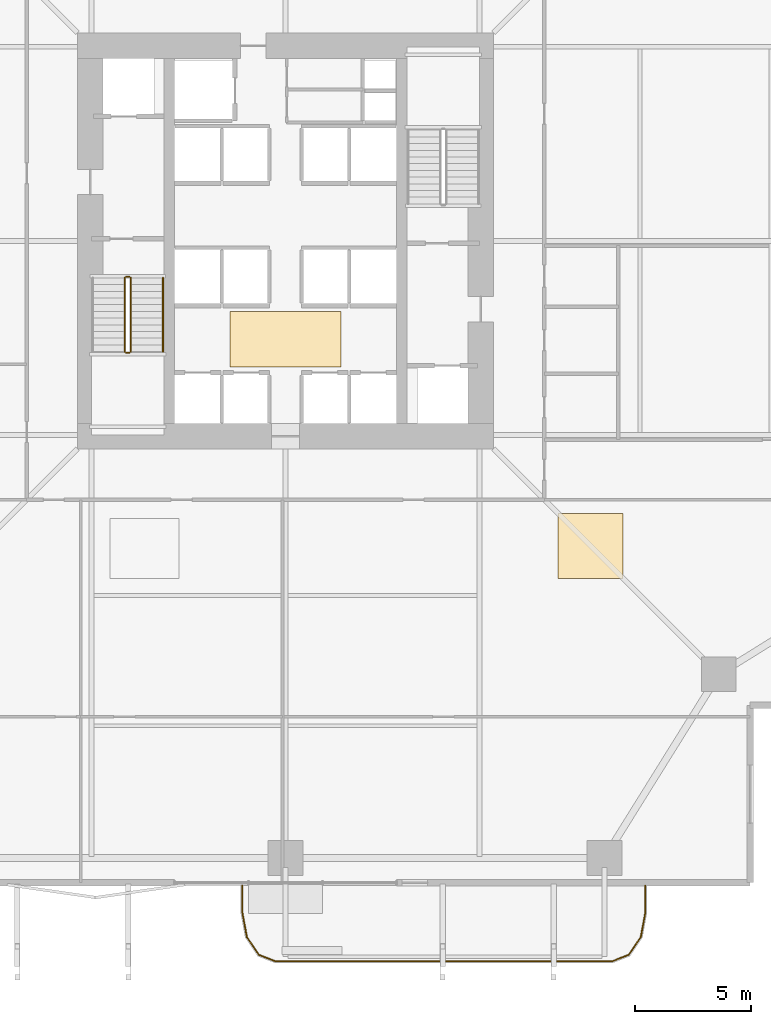
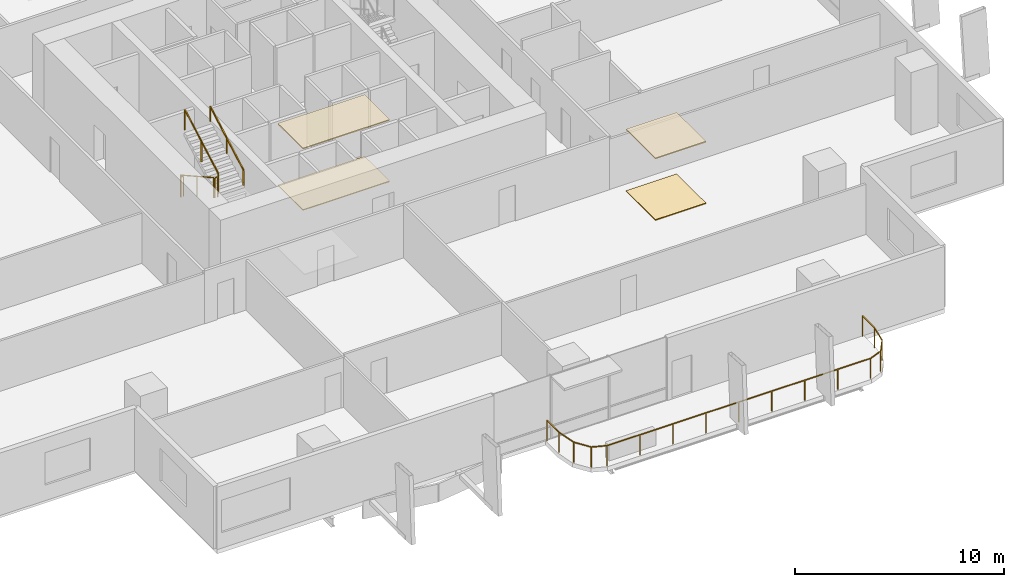
# One storey, part 22 of 24: 6 railings, 4 coverings.
"""IFC4 building model written with IfcOpenShell, lengths in metres."""

from ifc_helpers import new_model, si_unit, direction, frame, origin, origin_2d, place, context, subcontext, project, spatial, polyline, rectangle, outline, extrude, material, layer, layer_set, type_object, element, save


model = new_model("IFC4")

# Units and contexts
model_context = context("Model", 3, precision=1e-05, world=origin(), true_north=direction((0.0, 1.0)))
body_context = subcontext(model_context, "Body", "Model", "MODEL_VIEW")
ifc_project = project(units=[si_unit("LENGTHUNIT", "METRE"), si_unit("AREAUNIT", "SQUARE_METRE"), si_unit("VOLUMEUNIT", "CUBIC_METRE"), si_unit("PLANEANGLEUNIT", "RADIAN"), si_unit("MASSUNIT", "GRAM", prefix="KILO")], contexts=[model_context])

# Site, building, storey
site_placement = place(None, origin())
site = spatial("IfcSite", under=ifc_project, at=site_placement, CompositionType="ELEMENT")
building_placement = place(site_placement, origin())
building = spatial("IfcBuilding", under=site, at=building_placement, Name="Belovzor Exchange Tower", CompositionType="ELEMENT")
storey_placement = place(building_placement, frame((0.0, 0.0, 33.89990234375)))
storey = spatial("IfcBuildingStorey", under=building, at=storey_placement, Name="L07", CompositionType="ELEMENT", Elevation=33.89990234375)

# Railings
ifc_material_1 = material(Name="Stainless Steel Grade 304", Category="steel")
railing_type_1 = type_object("IfcRailingType", Name="Brushed Stainless Steel Stair Handrail 900", PredefinedType="HANDRAIL", material=ifc_material_1)
railing_1_placement = place(storey_placement, frame((23.5, 24.010009765625, 2.112548828125)))
element("IfcRailing", 1, at=railing_1_placement, inside=storey, type_object=railing_type_1, Name="L07 ST-1 stair handrail 2", PredefinedType="HANDRAIL", context=body_context, shape_type="SweptSolid", body=[
    extrude(rectangle(XDim=0.048095703125, YDim=0.048095703125, at=origin_2d()), frame((0.0, 0.0, 0.8759765625), z_axis=(0.0, 0.8723625253, 0.488859514025), x_axis=(-1.0, 0.0, 0.0)), (0.0, 0.0, 1.0), 3.65673828125),
    extrude(rectangle(XDim=0.0419921875, YDim=0.0419921875, at=origin_2d()), origin(), (0.0, 0.0, 1.0), 0.851806640625),
    extrude(rectangle(XDim=0.0419921875, YDim=0.0419921875, at=origin_2d()), frame((0.0, 1.594970703125, 0.893798828125)), (0.0, 0.0, 1.0), 0.851806640625),
    extrude(rectangle(XDim=0.0419921875, YDim=0.0419921875, at=origin_2d()), frame((0.0, 3.18994140625, 1.78759765625)), (0.0, 0.0, 1.0), 0.851806640625),
])
ifc_material_2 = material(Name="Stainless Steel and Laminated Safety Glass", Category="steel")
railing_type_2 = type_object("IfcRailingType", Name="Laminated Glass & Stainless Steel Balcony Balustrade 1200", PredefinedType="BALUSTRADE", material=ifc_material_2)
railing_2_placement = place(storey_placement, frame((26.929931640625, 0.889892578125, 0.0)))
element("IfcRailing", 2, at=railing_2_placement, inside=storey, type_object=railing_type_2, Name="GR-1 Balcony Balustrade L07 South", PredefinedType="BALUSTRADE", context=body_context, shape_type="SweptSolid", body=[
    extrude(rectangle(XDim=0.048095703125, YDim=0.048095703125, at=origin_2d()), frame((0.0, 0.0, 1.17578125), z_axis=(0.0, -1.0, 0.0), x_axis=(1.0, 0.0, 0.0)), (0.0, 0.0, 1.0), 1.1328125),
    extrude(rectangle(XDim=0.048095703125, YDim=0.048095703125, at=origin_2d()), frame((0.0, -1.1328125, 1.17578125), z_axis=(0.180083182347, -0.983651385113, 0.0), x_axis=(0.983651385113, 0.180083182347, 0.0)), (0.0, 0.0, 1.0), 1.093994140625),
    extrude(rectangle(XDim=0.048095703125, YDim=0.048095703125, at=origin_2d()), frame((0.197021484375, -2.208984375, 1.17578125), z_axis=(0.56294695933, -0.826493025367, 0.0), x_axis=(0.826493025367, 0.56294695933, 0.0)), (0.0, 0.0, 1.0), 0.932861328125),
    extrude(rectangle(XDim=0.048095703125, YDim=0.048095703125, at=origin_2d()), frame((0.72216796875, -2.97998046875, 1.17578125), z_axis=(0.930766990125, -0.365612923861, 0.0), x_axis=(0.365612923861, 0.930766990125, 0.0)), (0.0, 0.0, 1.0), 0.765869140625),
    extrude(rectangle(XDim=0.048095703125, YDim=0.048095703125, at=origin_2d()), frame((1.43505859375, -3.260009765625, 1.17578125), z_axis=(1.0, 0.0, 0.0), x_axis=(0.0, 1.0, 0.0)), (0.0, 0.0, 1.0), 14.570068359375),
    extrude(rectangle(XDim=0.048095703125, YDim=0.048095703125, at=origin_2d()), frame((16.005126953125, -3.260009765625, 1.17578125), z_axis=(0.930766990125, 0.365612923861, 0.0), x_axis=(-0.365612923861, 0.930766990125, 0.0)), (0.0, 0.0, 1.0), 0.765869140625),
    extrude(rectangle(XDim=0.048095703125, YDim=0.048095703125, at=origin_2d()), frame((16.718017578125, -2.97998046875, 1.17578125), z_axis=(0.56294695933, 0.826493025367, 0.0), x_axis=(-0.826493025367, 0.56294695933, 0.0)), (0.0, 0.0, 1.0), 0.932861328125),
    extrude(rectangle(XDim=0.048095703125, YDim=0.048095703125, at=origin_2d()), frame((17.2431640625, -2.208984375, 1.17578125), z_axis=(0.180083182347, 0.983651385113, 0.0), x_axis=(-0.983651385113, 0.180083182347, 0.0)), (0.0, 0.0, 1.0), 1.093994140625),
    extrude(rectangle(XDim=0.048095703125, YDim=0.048095703125, at=origin_2d()), frame((17.440185546875, -1.1328125, 1.17578125), z_axis=(0.0, 1.0, 0.0), x_axis=(-1.0, 0.0, 0.0)), (0.0, 0.0, 1.0), 1.1328125),
    extrude(rectangle(XDim=0.0419921875, YDim=0.0419921875, at=origin_2d()), origin(), (0.0, 0.0, 1.0), 1.15185546875),
    extrude(rectangle(XDim=0.0419921875, YDim=0.0419921875, at=origin_2d()), frame((0.0, -1.1328125, 0.0)), (0.0, 0.0, 1.0), 1.15185546875),
    extrude(rectangle(XDim=0.0419921875, YDim=0.0419921875, at=origin_2d()), frame((0.197021484375, -2.208984375, 0.0)), (0.0, 0.0, 1.0), 1.15185546875),
    extrude(rectangle(XDim=0.0419921875, YDim=0.0419921875, at=origin_2d()), frame((0.72216796875, -2.97998046875, 0.0)), (0.0, 0.0, 1.0), 1.15185546875),
    extrude(rectangle(XDim=0.0419921875, YDim=0.0419921875, at=origin_2d()), frame((1.43505859375, -3.260009765625, 0.0)), (0.0, 0.0, 1.0), 1.15185546875),
    extrude(rectangle(XDim=0.0419921875, YDim=0.0419921875, at=origin_2d()), frame((3.25634765625, -3.260009765625, 0.0)), (0.0, 0.0, 1.0), 1.15185546875),
    extrude(rectangle(XDim=0.0419921875, YDim=0.0419921875, at=origin_2d()), frame((5.07763671875, -3.260009765625, 0.0)), (0.0, 0.0, 1.0), 1.15185546875),
    extrude(rectangle(XDim=0.0419921875, YDim=0.0419921875, at=origin_2d()), frame((6.89892578125, -3.260009765625, 0.0)), (0.0, 0.0, 1.0), 1.15185546875),
    extrude(rectangle(XDim=0.0419921875, YDim=0.0419921875, at=origin_2d()), frame((8.72021484375, -3.260009765625, 0.0)), (0.0, 0.0, 1.0), 1.15185546875),
    extrude(rectangle(XDim=0.0419921875, YDim=0.0419921875, at=origin_2d()), frame((10.541259765625, -3.260009765625, 0.0)), (0.0, 0.0, 1.0), 1.15185546875),
    extrude(rectangle(XDim=0.0419921875, YDim=0.0419921875, at=origin_2d()), frame((12.362548828125, -3.260009765625, 0.0)), (0.0, 0.0, 1.0), 1.15185546875),
    extrude(rectangle(XDim=0.0419921875, YDim=0.0419921875, at=origin_2d()), frame((14.183837890625, -3.260009765625, 0.0)), (0.0, 0.0, 1.0), 1.15185546875),
    extrude(rectangle(XDim=0.0419921875, YDim=0.0419921875, at=origin_2d()), frame((16.005126953125, -3.260009765625, 0.0)), (0.0, 0.0, 1.0), 1.15185546875),
    extrude(rectangle(XDim=0.0419921875, YDim=0.0419921875, at=origin_2d()), frame((16.718017578125, -2.97998046875, 0.0)), (0.0, 0.0, 1.0), 1.15185546875),
    extrude(rectangle(XDim=0.0419921875, YDim=0.0419921875, at=origin_2d()), frame((17.2431640625, -2.208984375, 0.0)), (0.0, 0.0, 1.0), 1.15185546875),
    extrude(rectangle(XDim=0.0419921875, YDim=0.0419921875, at=origin_2d()), frame((17.440185546875, -1.1328125, 0.0)), (0.0, 0.0, 1.0), 1.15185546875),
    extrude(rectangle(XDim=0.0419921875, YDim=0.0419921875, at=origin_2d()), frame((17.440185546875, 0.0, 0.0)), (0.0, 0.0, 1.0), 1.15185546875),
])
ifc_material_3 = material(Name="Steel S355", Category="steel")
railing_type_3 = type_object("IfcRailingType", Name="Painted Steel Stairwell Guardrail 1200", PredefinedType="GUARDRAIL", material=ifc_material_3)
railing_3_placement = place(storey_placement, frame((21.85009765625, 27.199951171875, 0.16259765625)))
element("IfcRailing", 3, at=railing_3_placement, inside=storey, type_object=railing_type_3, Name="L07 ST-1 stair guard 1", PredefinedType="GUARDRAIL", context=body_context, shape_type="SweptSolid", body=[
    extrude(rectangle(XDim=0.048095703125, YDim=0.048095703125, at=origin_2d()), frame((0.0, 0.0, 1.17578125), z_axis=(0.0, -0.8723625253, 0.488859514025), x_axis=(1.0, 0.0, 0.0)), (0.0, 0.0, 1.0), 3.65673828125),
    extrude(rectangle(XDim=0.0419921875, YDim=0.0419921875, at=origin_2d()), origin(), (0.0, 0.0, 1.0), 1.15185546875),
    extrude(rectangle(XDim=0.0419921875, YDim=0.0419921875, at=origin_2d()), frame((0.0, -1.594970703125, 0.893798828125)), (0.0, 0.0, 1.0), 1.15185546875),
    extrude(rectangle(XDim=0.0419921875, YDim=0.0419921875, at=origin_2d()), frame((0.0, -3.18994140625, 1.78759765625)), (0.0, 0.0, 1.0), 1.15185546875),
])
railing_4_placement = place(storey_placement, frame((21.89990234375, 23.9599609375, 1.9501953125)))
element("IfcRailing", 4, at=railing_4_placement, inside=storey, type_object=railing_type_3, Name="L07 ST-1 stair guard 2", PredefinedType="GUARDRAIL", context=body_context, shape_type="SweptSolid", body=[
    extrude(rectangle(XDim=0.048095703125, YDim=0.048095703125, at=origin_2d()), frame((0.0, 0.0, 1.17578125), z_axis=(1.0, 0.0, 0.0), x_axis=(0.0, 1.0, 0.0)), (0.0, 0.0, 1.0), 0.150146484375),
    extrude(rectangle(XDim=0.0419921875, YDim=0.0419921875, at=origin_2d()), origin(), (0.0, 0.0, 1.0), 1.15185546875),
    extrude(rectangle(XDim=0.0419921875, YDim=0.0419921875, at=origin_2d()), frame((0.150146484375, 0.0, 0.0)), (0.0, 0.0, 1.0), 1.15185546875),
])
railing_5_placement = place(storey_placement, frame((22.10009765625, 24.010009765625, 2.112548828125)))
element("IfcRailing", 5, at=railing_5_placement, inside=storey, type_object=railing_type_3, Name="L07 ST-1 stair guard 3", PredefinedType="GUARDRAIL", context=body_context, shape_type="SweptSolid", body=[
    extrude(rectangle(XDim=0.048095703125, YDim=0.048095703125, at=origin_2d()), frame((0.0, 0.0, 1.17578125), z_axis=(0.0, 0.8723625253, 0.488859514025), x_axis=(-1.0, 0.0, 0.0)), (0.0, 0.0, 1.0), 3.65673828125),
    extrude(rectangle(XDim=0.0419921875, YDim=0.0419921875, at=origin_2d()), origin(), (0.0, 0.0, 1.0), 1.15185546875),
    extrude(rectangle(XDim=0.0419921875, YDim=0.0419921875, at=origin_2d()), frame((0.0, 1.594970703125, 0.893798828125)), (0.0, 0.0, 1.0), 1.15185546875),
    extrude(rectangle(XDim=0.0419921875, YDim=0.0419921875, at=origin_2d()), frame((0.0, 3.18994140625, 1.78759765625)), (0.0, 0.0, 1.0), 1.15185546875),
])
railing_6_placement = place(storey_placement, frame((21.89990234375, 27.25, 0.0)))
element("IfcRailing", 6, at=railing_6_placement, inside=storey, type_object=railing_type_3, Name="L07 ST-1 stair guard 4", PredefinedType="GUARDRAIL", context=body_context, shape_type="SweptSolid", body=[
    extrude(rectangle(XDim=0.048095703125, YDim=0.048095703125, at=origin_2d()), frame((0.0, 0.0, 1.17578125), z_axis=(1.0, 0.0, 0.0), x_axis=(0.0, 1.0, 0.0)), (0.0, 0.0, 1.0), 0.150146484375),
    extrude(rectangle(XDim=0.0419921875, YDim=0.0419921875, at=origin_2d()), origin(), (0.0, 0.0, 1.0), 1.15185546875),
    extrude(rectangle(XDim=0.0419921875, YDim=0.0419921875, at=origin_2d()), frame((0.150146484375, 0.0, 0.0)), (0.0, 0.0, 1.0), 1.15185546875),
])

# Coverings
ifc_material_4 = material(Name="Perforated Powder-Coated Aluminium", Category="aluminium")
ifc_layer_1 = layer(ifc_material_4, 0.06005859375)
ifc_layer_set_1 = layer_set([ifc_layer_1], Name="Perforated Powder-Coated Aluminium")
covering_type_1 = type_object("IfcCoveringType", Name="Perforated Acoustic Metal Tile Suspended Ceiling 60", PredefinedType="CEILING", material=ifc_layer_set_1)
covering_1_placement = place(storey_placement, frame((0.0, 0.0, 3.590087890625)))
element("IfcCovering", 7, at=covering_1_placement, inside=storey, type_object=covering_type_1, Name="CLG-AC60 Suspended Ceiling CLG-L07-LOB", PredefinedType="CEILING", context=body_context, shape_type="SweptSolid", body=[
    extrude(outline(polyline([(26.39990234375, 23.35009765625), (31.199951171875, 23.35009765625), (31.199951171875, 25.75), (26.39990234375, 25.75), (26.39990234375, 23.35009765625)])), origin(), (0.0, 0.0, 1.0), 0.06005859375),
])
covering_2_placement = place(storey_placement, frame((0.0, 0.0, 3.590087890625)))
element("IfcCovering", 8, at=covering_2_placement, inside=storey, type_object=covering_type_1, Name="CLG-AC60 Suspended Ceiling CLG-L07-Z1", PredefinedType="CEILING", context=body_context, shape_type="SweptSolid", body=[
    extrude(outline(polyline([(40.60009765625, 14.199951171875), (43.39990234375, 14.199951171875), (43.39990234375, 17.0), (40.60009765625, 17.0), (40.60009765625, 14.199951171875)])), origin(), (0.0, 0.0, 1.0), 0.06005859375),
])
ifc_material_5 = material(Name="Polished Natural Granite Tile", Category="masonry")
ifc_layer_2 = layer(ifc_material_5, 0.050048828125)
ifc_layer_set_2 = layer_set([ifc_layer_2], Name="Polished Natural Granite Tile")
covering_type_2 = type_object("IfcCoveringType", Name="Polished Karelian Granite & Raised Access Floor Finish 50", PredefinedType="FLOORING", material=ifc_layer_set_2)
covering_3_placement = place(storey_placement, origin())
element("IfcCovering", 9, at=covering_3_placement, inside=storey, type_object=covering_type_2, Name="FLR-GR50 Floor Finish FLR-L07-LOB", PredefinedType="FLOORING", context=body_context, shape_type="SweptSolid", body=[
    extrude(outline(polyline([(26.39990234375, 23.35009765625), (31.199951171875, 23.35009765625), (31.199951171875, 25.75), (26.39990234375, 25.75), (26.39990234375, 23.35009765625)])), origin(), (0.0, 0.0, 1.0), 0.050048828125),
])
covering_4_placement = place(storey_placement, origin())
element("IfcCovering", 10, at=covering_4_placement, inside=storey, type_object=covering_type_2, Name="FLR-GR50 Floor Finish FLR-L07-Z1", PredefinedType="FLOORING", context=body_context, shape_type="SweptSolid", body=[
    extrude(outline(polyline([(40.60009765625, 14.199951171875), (43.39990234375, 14.199951171875), (43.39990234375, 17.0), (40.60009765625, 17.0), (40.60009765625, 14.199951171875)])), origin(), (0.0, 0.0, 1.0), 0.050048828125),
])

save(model, "model.ifc")
